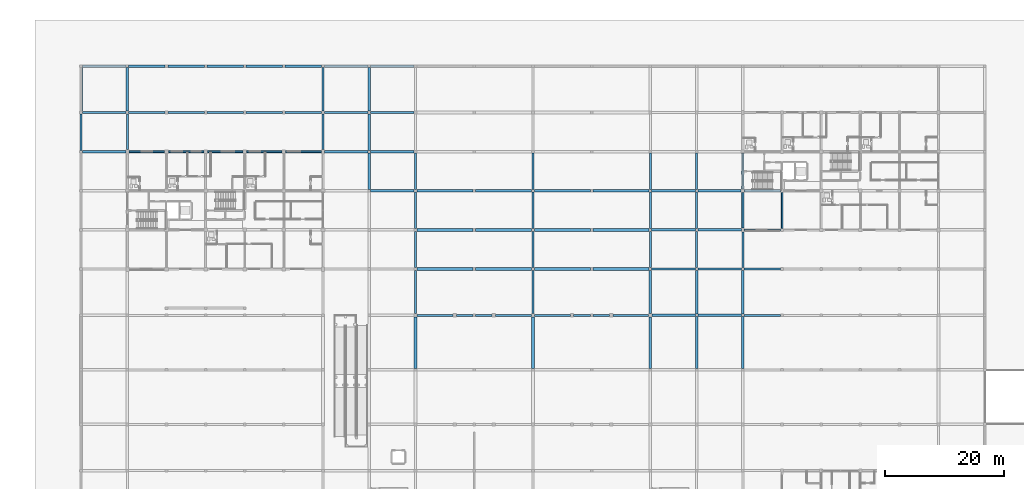
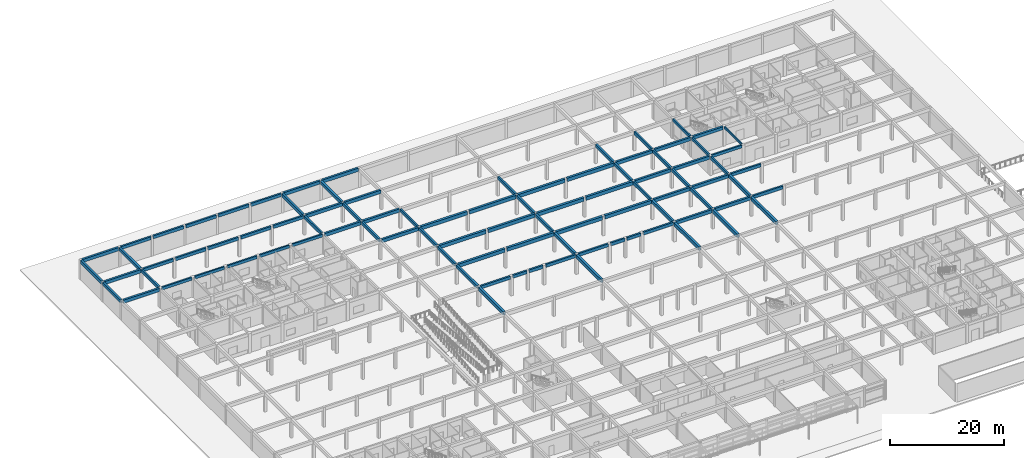
# One storey, part 33 of 75: 92 beams.
"""IFC4 building model written with IfcOpenShell, lengths in metres."""

from ifc_helpers import new_model, si_unit, direction, frame, origin, origin_2d, place, context, subcontext, project, spatial, rectangle, extrude, material, material_profile, profile_set, type_object, element, save


model = new_model("IFC4")

# Units and contexts
model_context = context("Model", 3, precision=1e-05, world=origin(), true_north=direction((0.0, 1.0)))
body_context = subcontext(model_context, "Body", "Model", "MODEL_VIEW")
ifc_project = project(units=[si_unit("LENGTHUNIT", "METRE"), si_unit("AREAUNIT", "SQUARE_METRE"), si_unit("VOLUMEUNIT", "CUBIC_METRE"), si_unit("PLANEANGLEUNIT", "RADIAN"), si_unit("MASSUNIT", "GRAM", prefix="KILO")], contexts=[model_context])

# Site, building, storey
site_placement = place(None, origin())
site = spatial("IfcSite", under=ifc_project, at=site_placement, CompositionType="ELEMENT")
building_placement = place(site_placement, origin())
building = spatial("IfcBuilding", under=site, at=building_placement, Name="Kernevlak Ridge Housing Community", CompositionType="ELEMENT")
storey_placement = place(building_placement, origin())
storey = spatial("IfcBuildingStorey", under=building, at=storey_placement, Name="L00", CompositionType="ELEMENT", Elevation=0.0)

# Beams
ifc_material = material(Name="Concrete C35/45", Category="concrete")
ifc_material_profile_1 = material_profile(ifc_material, rectangle(XDim=0.39990234375, YDim=0.699951171875, at=origin_2d()), Name="RC 400x700")
ifc_profile_set_1 = profile_set([ifc_material_profile_1], Name="Concrete C35/45")
beam_type_1 = type_object("IfcBeamType", Name="B-01", PredefinedType="BEAM", material=ifc_profile_set_1)
beam_1_placement = place(storey_placement, frame((104.074951171875, 68.199951171875, 3.85009765625), z_axis=(1.0, 0.0, 0.0), x_axis=(0.0, 1.0, 0.0)))
element("IfcBeam", 1, at=beam_1_placement, inside=storey, type_object=beam_type_1, Name="Beam B-01 L00 2179", PredefinedType="BEAM", context=body_context, shape_type="SweptSolid", body=[
    extrude(rectangle(XDim=0.39990234375, YDim=0.699951171875, at=origin_2d()), origin(), (0.0, 0.0, 1.0), 7.300048828125),
])
for number, where, z_axis, x_axis, name in (
    (2, (111.824951171875, 68.199951171875, 3.85009765625), (1.0, 0.0, 0.0), (0.0, 1.0, 0.0), "Beam B-01 L00 2180"),
    (3, (104.02490234375, 76.0, 3.85009765625), (1.0, 0.0, 0.0), (0.0, 1.0, 0.0), "Beam B-01 L00 2196"),
    (4, (111.824951171875, 76.0, 3.85009765625), (1.0, 0.0, 0.0), (0.0, 1.0, 0.0), "Beam B-01 L00 2197"),
    (5, (104.02490234375, 82.60009765625, 3.85009765625), (1.0, 0.0, 0.0), (0.0, 1.0, 0.0), "Beam B-01 L00 2211"),
    (6, (111.824951171875, 82.60009765625, 3.85009765625), (1.0, 0.0, 0.0), (0.0, 1.0, 0.0), "Beam B-01 L00 2212"),
    (7, (56.625, 89.199951171875, 3.85009765625), (1.0, 0.0, 0.0), (0.0, 1.0, 0.0), "Beam B-01 L00 2216"),
    (8, (104.02490234375, 89.199951171875, 3.85009765625), (1.0, 0.0, 0.0), (0.0, 1.0, 0.0), "Beam B-01 L00 2221"),
):
    element("IfcBeam", number, at=place(storey_placement, frame(where, z_axis=z_axis, x_axis=x_axis)), inside=storey, type_object=beam_type_1, Name=name, PredefinedType="BEAM", context=body_context, shape_type="SweptSolid", body=[
        extrude(rectangle(XDim=0.39990234375, YDim=0.699951171875, at=origin_2d()), origin(), (0.0, 0.0, 1.0), 7.35009765625),
    ])
beam_2_placement = place(storey_placement, frame((111.824951171875, 89.199951171875, 3.85009765625), z_axis=(1.0, 0.0, 0.0), x_axis=(0.0, 1.0, 0.0)))
element("IfcBeam", 9, at=beam_2_placement, inside=storey, type_object=beam_type_1, Name="Beam B-01 L00 2222", PredefinedType="BEAM", context=body_context, shape_type="SweptSolid", body=[
    extrude(rectangle(XDim=0.39990234375, YDim=0.699951171875, at=origin_2d()), origin(), (0.0, 0.0, 1.0), 7.300048828125),
])
beam_3_placement = place(storey_placement, frame((8.02490234375, 95.800048828125, 3.85009765625), z_axis=(1.0, 0.0, 0.0), x_axis=(0.0, 1.0, 0.0)))
element("IfcBeam", 10, at=beam_3_placement, inside=storey, type_object=beam_type_1, Name="Beam B-01 L00 2224", PredefinedType="BEAM", context=body_context, shape_type="SweptSolid", body=[
    extrude(rectangle(XDim=0.39990234375, YDim=0.699951171875, at=origin_2d()), origin(), (0.0, 0.0, 1.0), 7.3251953125),
])
beam_4_placement = place(storey_placement, frame((48.85009765625, 95.800048828125, 3.85009765625), z_axis=(1.0, 0.0, 0.0), x_axis=(0.0, 1.0, 0.0)))
element("IfcBeam", 11, at=beam_4_placement, inside=storey, type_object=beam_type_1, Name="Beam B-01 L00 2225", PredefinedType="BEAM", context=body_context, shape_type="SweptSolid", body=[
    extrude(rectangle(XDim=0.39990234375, YDim=0.699951171875, at=origin_2d()), origin(), (0.0, 0.0, 1.0), 7.324951171875),
])
for number, where, z_axis, x_axis, name in (
    (12, (56.625, 95.800048828125, 3.85009765625), (1.0, 0.0, 0.0), (0.0, 1.0, 0.0), "Beam B-01 L00 2226"),
    (13, (8.02490234375, 102.39990234375, 3.85009765625), (1.0, 0.0, 0.0), (0.0, 1.0, 0.0), "Beam B-01 L00 2234"),
    (14, (48.824951171875, 102.39990234375, 3.85009765625), (1.0, 0.0, 0.0), (0.0, 1.0, 0.0), "Beam B-01 L00 2240"),
    (15, (56.625, 102.39990234375, 3.85009765625), (1.0, 0.0, 0.0), (0.0, 1.0, 0.0), "Beam B-01 L00 2241"),
    (16, (8.02490234375, 110.199951171875, 3.85009765625), (1.0, 0.0, 0.0), (0.0, 1.0, 0.0), "Beam B-01 L00 2249"),
    (17, (48.824951171875, 110.199951171875, 3.85009765625), (1.0, 0.0, 0.0), (0.0, 1.0, 0.0), "Beam B-01 L00 2255"),
    (18, (56.625, 110.199951171875, 3.85009765625), (1.0, 0.0, 0.0), (0.0, 1.0, 0.0), "Beam B-01 L00 2256"),
    (19, (7.800048828125, 102.625, 3.85009765625), (0.0, 1.0, 0.0), (-1.0, 0.0, 0.0), "Beam B-01 L00 2281"),
    (20, (15.60009765625, 102.625, 3.85009765625), (0.0, 1.0, 0.0), (-1.0, 0.0, 0.0), "Beam B-01 L00 2288"),
    (21, (48.60009765625, 102.625, 3.85009765625), (0.0, 1.0, 0.0), (-1.0, 0.0, 0.0), "Beam B-01 L00 2298"),
    (22, (56.39990234375, 102.625, 3.85009765625), (0.0, 1.0, 0.0), (-1.0, 0.0, 0.0), "Beam B-01 L00 2312"),
):
    element("IfcBeam", number, at=place(storey_placement, frame(where, z_axis=z_axis, x_axis=x_axis)), inside=storey, type_object=beam_type_1, Name=name, PredefinedType="BEAM", context=body_context, shape_type="SweptSolid", body=[
        extrude(rectangle(XDim=0.39990234375, YDim=0.699951171875, at=origin_2d()), origin(), (0.0, 0.0, 1.0), 7.35009765625),
    ])
for number, where, z_axis, x_axis, name in (
    (23, (64.199951171875, 68.47509765625, 3.85009765625), (0.0, 1.0, 0.0), (-1.0, 0.0, 0.0), "Beam B-01 L00 2321"),
    (24, (84.0, 68.47509765625, 3.85009765625), (0.0, 1.0, 0.0), (-1.0, 0.0, 0.0), "Beam B-01 L00 2335"),
    (25, (103.800048828125, 68.47509765625, 3.85009765625), (0.0, 1.0, 0.0), (-1.0, 0.0, 0.0), "Beam B-01 L00 2349"),
):
    element("IfcBeam", number, at=place(storey_placement, frame(where, z_axis=z_axis, x_axis=x_axis)), inside=storey, type_object=beam_type_1, Name=name, PredefinedType="BEAM", context=body_context, shape_type="SweptSolid", body=[
        extrude(rectangle(XDim=0.39990234375, YDim=0.699951171875, at=origin_2d()), origin(), (0.0, 0.0, 1.0), 7.2998046875),
    ])
for number, where, z_axis, x_axis, name in (
    (26, (111.60009765625, 68.425048828125, 3.85009765625), (0.0, 1.0, 0.0), (-1.0, 0.0, 0.0), "Beam B-01 L00 2363"),
    (27, (119.39990234375, 68.425048828125, 3.85009765625), (0.0, 1.0, 0.0), (-1.0, 0.0, 0.0), "Beam B-01 L00 2376"),
):
    element("IfcBeam", number, at=place(storey_placement, frame(where, z_axis=z_axis, x_axis=x_axis)), inside=storey, type_object=beam_type_1, Name=name, PredefinedType="BEAM", context=body_context, shape_type="SweptSolid", body=[
        extrude(rectangle(XDim=0.39990234375, YDim=0.699951171875, at=origin_2d()), origin(), (0.0, 0.0, 1.0), 7.349853515625),
    ])
ifc_material_profile_2 = material_profile(ifc_material, rectangle(XDim=0.35009765625, YDim=0.64990234375, at=origin_2d()), Name="RC 350x650")
ifc_profile_set_2 = profile_set([ifc_material_profile_2], Name="Concrete C35/45")
beam_type_2 = type_object("IfcBeamType", Name="B-02", PredefinedType="BEAM", material=ifc_profile_set_2)
beam_5_placement = place(storey_placement, frame((64.47509765625, 68.199951171875, 3.875), z_axis=(1.0, 0.0, 0.0), x_axis=(0.0, 1.0, 0.0)))
element("IfcBeam", 28, at=beam_5_placement, inside=storey, type_object=beam_type_2, Name="Beam B-02 L00 2171", PredefinedType="BEAM", context=body_context, shape_type="SweptSolid", body=[
    extrude(rectangle(XDim=0.35009765625, YDim=0.64990234375, at=origin_2d()), origin(), (0.0, 0.0, 1.0), 6.0498046875),
])
for number, where, z_axis, x_axis, name in (
    (29, (71.074951171875, 68.199951171875, 3.875), (1.0, 0.0, 0.0), (0.0, 1.0, 0.0), "Beam B-02 L00 2172"),
    (30, (74.324951171875, 68.199951171875, 3.875), (1.0, 0.0, 0.0), (0.0, 1.0, 0.0), "Beam B-02 L00 2173"),
):
    element("IfcBeam", number, at=place(storey_placement, frame(where, z_axis=z_axis, x_axis=x_axis)), inside=storey, type_object=beam_type_2, Name=name, PredefinedType="BEAM", context=body_context, shape_type="SweptSolid", body=[
        extrude(rectangle(XDim=0.35009765625, YDim=0.64990234375, at=origin_2d()), origin(), (0.0, 0.0, 1.0), 2.800048828125),
    ])
for number, where, z_axis, x_axis, name in (
    (31, (77.675048828125, 68.199951171875, 3.875), (1.0, 0.0, 0.0), (0.0, 1.0, 0.0), "Beam B-02 L00 2174"),
    (32, (84.27490234375, 68.199951171875, 3.875), (1.0, 0.0, 0.0), (0.0, 1.0, 0.0), "Beam B-02 L00 2175"),
):
    element("IfcBeam", number, at=place(storey_placement, frame(where, z_axis=z_axis, x_axis=x_axis)), inside=storey, type_object=beam_type_2, Name=name, PredefinedType="BEAM", context=body_context, shape_type="SweptSolid", body=[
        extrude(rectangle(XDim=0.35009765625, YDim=0.64990234375, at=origin_2d()), origin(), (0.0, 0.0, 1.0), 6.050048828125),
    ])
for number, where, z_axis, x_axis, name in (
    (33, (90.875, 68.199951171875, 3.875), (1.0, 0.0, 0.0), (0.0, 1.0, 0.0), "Beam B-02 L00 2176"),
    (34, (94.125, 68.199951171875, 3.875), (1.0, 0.0, 0.0), (0.0, 1.0, 0.0), "Beam B-02 L00 2177"),
):
    element("IfcBeam", number, at=place(storey_placement, frame(where, z_axis=z_axis, x_axis=x_axis)), inside=storey, type_object=beam_type_2, Name=name, PredefinedType="BEAM", context=body_context, shape_type="SweptSolid", body=[
        extrude(rectangle(XDim=0.35009765625, YDim=0.64990234375, at=origin_2d()), origin(), (0.0, 0.0, 1.0), 2.800048828125),
    ])
beam_6_placement = place(storey_placement, frame((97.47509765625, 68.199951171875, 3.875), z_axis=(1.0, 0.0, 0.0), x_axis=(0.0, 1.0, 0.0)))
element("IfcBeam", 35, at=beam_6_placement, inside=storey, type_object=beam_type_2, Name="Beam B-02 L00 2178", PredefinedType="BEAM", context=body_context, shape_type="SweptSolid", body=[
    extrude(rectangle(XDim=0.35009765625, YDim=0.64990234375, at=origin_2d()), origin(), (0.0, 0.0, 1.0), 6.0498046875),
])
for number, where, z_axis, x_axis, name in (
    (36, (119.625, 68.199951171875, 3.875), (1.0, 0.0, 0.0), (0.0, 1.0, 0.0), "Beam B-02 L00 2181"),
    (37, (119.625, 76.0, 3.875), (1.0, 0.0, 0.0), (0.0, 1.0, 0.0), "Beam B-02 L00 2198"),
):
    element("IfcBeam", number, at=place(storey_placement, frame(where, z_axis=z_axis, x_axis=x_axis)), inside=storey, type_object=beam_type_2, Name=name, PredefinedType="BEAM", context=body_context, shape_type="SweptSolid", body=[
        extrude(rectangle(XDim=0.35009765625, YDim=0.64990234375, at=origin_2d()), origin(), (0.0, 0.0, 1.0), 6.14990234375),
    ])
beam_7_placement = place(storey_placement, frame((15.824951171875, 102.39990234375, 3.875), z_axis=(1.0, 0.0, 0.0), x_axis=(0.0, 1.0, 0.0)))
element("IfcBeam", 38, at=beam_7_placement, inside=storey, type_object=beam_type_2, Name="Beam B-02 L00 2235", PredefinedType="BEAM", context=body_context, shape_type="SweptSolid", body=[
    extrude(rectangle(XDim=0.35009765625, YDim=0.64990234375, at=origin_2d()), origin(), (0.0, 0.0, 1.0), 6.150146484375),
])
beam_8_placement = place(storey_placement, frame((22.425048828125, 102.39990234375, 3.875), z_axis=(1.0, 0.0, 0.0), x_axis=(0.0, 1.0, 0.0)))
element("IfcBeam", 39, at=beam_8_placement, inside=storey, type_object=beam_type_2, Name="Beam B-02 L00 2236", PredefinedType="BEAM", context=body_context, shape_type="SweptSolid", body=[
    extrude(rectangle(XDim=0.35009765625, YDim=0.64990234375, at=origin_2d()), origin(), (0.0, 0.0, 1.0), 6.14990234375),
])
beam_9_placement = place(storey_placement, frame((29.02490234375, 102.39990234375, 3.875), z_axis=(1.0, 0.0, 0.0), x_axis=(0.0, 1.0, 0.0)))
element("IfcBeam", 40, at=beam_9_placement, inside=storey, type_object=beam_type_2, Name="Beam B-02 L00 2237", PredefinedType="BEAM", context=body_context, shape_type="SweptSolid", body=[
    extrude(rectangle(XDim=0.35009765625, YDim=0.64990234375, at=origin_2d()), origin(), (0.0, 0.0, 1.0), 6.150146484375),
])
for number, where, z_axis, x_axis, name in (
    (41, (35.625, 102.39990234375, 3.875), (1.0, 0.0, 0.0), (0.0, 1.0, 0.0), "Beam B-02 L00 2238"),
    (42, (42.22509765625, 102.39990234375, 3.875), (1.0, 0.0, 0.0), (0.0, 1.0, 0.0), "Beam B-02 L00 2239"),
):
    element("IfcBeam", number, at=place(storey_placement, frame(where, z_axis=z_axis, x_axis=x_axis)), inside=storey, type_object=beam_type_2, Name=name, PredefinedType="BEAM", context=body_context, shape_type="SweptSolid", body=[
        extrude(rectangle(XDim=0.35009765625, YDim=0.64990234375, at=origin_2d()), origin(), (0.0, 0.0, 1.0), 6.14990234375),
    ])
beam_10_placement = place(storey_placement, frame((15.824951171875, 110.199951171875, 3.875), z_axis=(1.0, 0.0, 0.0), x_axis=(0.0, 1.0, 0.0)))
element("IfcBeam", 43, at=beam_10_placement, inside=storey, type_object=beam_type_2, Name="Beam B-02 L00 2250", PredefinedType="BEAM", context=body_context, shape_type="SweptSolid", body=[
    extrude(rectangle(XDim=0.35009765625, YDim=0.64990234375, at=origin_2d()), origin(), (0.0, 0.0, 1.0), 6.150146484375),
])
beam_11_placement = place(storey_placement, frame((22.425048828125, 110.199951171875, 3.875), z_axis=(1.0, 0.0, 0.0), x_axis=(0.0, 1.0, 0.0)))
element("IfcBeam", 44, at=beam_11_placement, inside=storey, type_object=beam_type_2, Name="Beam B-02 L00 2251", PredefinedType="BEAM", context=body_context, shape_type="SweptSolid", body=[
    extrude(rectangle(XDim=0.35009765625, YDim=0.64990234375, at=origin_2d()), origin(), (0.0, 0.0, 1.0), 6.14990234375),
])
beam_12_placement = place(storey_placement, frame((29.02490234375, 110.199951171875, 3.875), z_axis=(1.0, 0.0, 0.0), x_axis=(0.0, 1.0, 0.0)))
element("IfcBeam", 45, at=beam_12_placement, inside=storey, type_object=beam_type_2, Name="Beam B-02 L00 2252", PredefinedType="BEAM", context=body_context, shape_type="SweptSolid", body=[
    extrude(rectangle(XDim=0.35009765625, YDim=0.64990234375, at=origin_2d()), origin(), (0.0, 0.0, 1.0), 6.150146484375),
])
for number, where, z_axis, x_axis, name in (
    (46, (35.625, 110.199951171875, 3.875), (1.0, 0.0, 0.0), (0.0, 1.0, 0.0), "Beam B-02 L00 2253"),
    (47, (42.22509765625, 110.199951171875, 3.875), (1.0, 0.0, 0.0), (0.0, 1.0, 0.0), "Beam B-02 L00 2254"),
):
    element("IfcBeam", number, at=place(storey_placement, frame(where, z_axis=z_axis, x_axis=x_axis)), inside=storey, type_object=beam_type_2, Name=name, PredefinedType="BEAM", context=body_context, shape_type="SweptSolid", body=[
        extrude(rectangle(XDim=0.35009765625, YDim=0.64990234375, at=origin_2d()), origin(), (0.0, 0.0, 1.0), 6.14990234375),
    ])
beam_13_placement = place(storey_placement, frame((7.800048828125, 96.02490234375, 3.875), z_axis=(0.0, 1.0, 0.0), x_axis=(-1.0, 0.0, 0.0)))
element("IfcBeam", 48, at=beam_13_placement, inside=storey, type_object=beam_type_2, Name="Beam B-02 L00 2280", PredefinedType="BEAM", context=body_context, shape_type="SweptSolid", body=[
    extrude(rectangle(XDim=0.35009765625, YDim=0.64990234375, at=origin_2d()), origin(), (0.0, 0.0, 1.0), 6.150146484375),
])
for number, where, z_axis, x_axis, name in (
    (49, (15.60009765625, 96.175048828125, 3.875), (0.0, 1.0, 0.0), (-1.0, 0.0, 0.0), "Beam B-02 L00 2287"),
    (50, (48.60009765625, 96.175048828125, 3.875), (0.0, 1.0, 0.0), (-1.0, 0.0, 0.0), "Beam B-02 L00 2297"),
):
    element("IfcBeam", number, at=place(storey_placement, frame(where, z_axis=z_axis, x_axis=x_axis)), inside=storey, type_object=beam_type_2, Name=name, PredefinedType="BEAM", context=body_context, shape_type="SweptSolid", body=[
        extrude(rectangle(XDim=0.35009765625, YDim=0.64990234375, at=origin_2d()), origin(), (0.0, 0.0, 1.0), 6.0),
    ])
beam_14_placement = place(storey_placement, frame((56.39990234375, 89.425048828125, 3.875), z_axis=(0.0, 1.0, 0.0), x_axis=(-1.0, 0.0, 0.0)))
element("IfcBeam", 51, at=beam_14_placement, inside=storey, type_object=beam_type_2, Name="Beam B-02 L00 2310", PredefinedType="BEAM", context=body_context, shape_type="SweptSolid", body=[
    extrude(rectangle(XDim=0.35009765625, YDim=0.64990234375, at=origin_2d()), origin(), (0.0, 0.0, 1.0), 6.14990234375),
])
beam_15_placement = place(storey_placement, frame((56.39990234375, 96.02490234375, 3.875), z_axis=(0.0, 1.0, 0.0), x_axis=(-1.0, 0.0, 0.0)))
element("IfcBeam", 52, at=beam_15_placement, inside=storey, type_object=beam_type_2, Name="Beam B-02 L00 2311", PredefinedType="BEAM", context=body_context, shape_type="SweptSolid", body=[
    extrude(rectangle(XDim=0.35009765625, YDim=0.64990234375, at=origin_2d()), origin(), (0.0, 0.0, 1.0), 6.150146484375),
])
beam_16_placement = place(storey_placement, frame((64.199951171875, 76.22509765625, 3.875), z_axis=(0.0, 1.0, 0.0), x_axis=(-1.0, 0.0, 0.0)))
element("IfcBeam", 53, at=beam_16_placement, inside=storey, type_object=beam_type_2, Name="Beam B-02 L00 2322", PredefinedType="BEAM", context=body_context, shape_type="SweptSolid", body=[
    extrude(rectangle(XDim=0.35009765625, YDim=0.64990234375, at=origin_2d()), origin(), (0.0, 0.0, 1.0), 6.14990234375),
])
beam_17_placement = place(storey_placement, frame((64.199951171875, 82.824951171875, 3.875), z_axis=(0.0, 1.0, 0.0), x_axis=(-1.0, 0.0, 0.0)))
element("IfcBeam", 54, at=beam_17_placement, inside=storey, type_object=beam_type_2, Name="Beam B-02 L00 2323", PredefinedType="BEAM", context=body_context, shape_type="SweptSolid", body=[
    extrude(rectangle(XDim=0.35009765625, YDim=0.64990234375, at=origin_2d()), origin(), (0.0, 0.0, 1.0), 6.150146484375),
])
for number, where, z_axis, x_axis, name in (
    (55, (64.199951171875, 89.425048828125, 3.875), (0.0, 1.0, 0.0), (-1.0, 0.0, 0.0), "Beam B-02 L00 2324"),
    (56, (84.0, 76.22509765625, 3.875), (0.0, 1.0, 0.0), (-1.0, 0.0, 0.0), "Beam B-02 L00 2336"),
):
    element("IfcBeam", number, at=place(storey_placement, frame(where, z_axis=z_axis, x_axis=x_axis)), inside=storey, type_object=beam_type_2, Name=name, PredefinedType="BEAM", context=body_context, shape_type="SweptSolid", body=[
        extrude(rectangle(XDim=0.35009765625, YDim=0.64990234375, at=origin_2d()), origin(), (0.0, 0.0, 1.0), 6.14990234375),
    ])
beam_18_placement = place(storey_placement, frame((84.0, 82.824951171875, 3.875), z_axis=(0.0, 1.0, 0.0), x_axis=(-1.0, 0.0, 0.0)))
element("IfcBeam", 57, at=beam_18_placement, inside=storey, type_object=beam_type_2, Name="Beam B-02 L00 2337", PredefinedType="BEAM", context=body_context, shape_type="SweptSolid", body=[
    extrude(rectangle(XDim=0.35009765625, YDim=0.64990234375, at=origin_2d()), origin(), (0.0, 0.0, 1.0), 6.150146484375),
])
for number, where, z_axis, x_axis, name in (
    (58, (84.0, 89.425048828125, 3.875), (0.0, 1.0, 0.0), (-1.0, 0.0, 0.0), "Beam B-02 L00 2338"),
    (59, (103.800048828125, 76.22509765625, 3.875), (0.0, 1.0, 0.0), (-1.0, 0.0, 0.0), "Beam B-02 L00 2350"),
):
    element("IfcBeam", number, at=place(storey_placement, frame(where, z_axis=z_axis, x_axis=x_axis)), inside=storey, type_object=beam_type_2, Name=name, PredefinedType="BEAM", context=body_context, shape_type="SweptSolid", body=[
        extrude(rectangle(XDim=0.35009765625, YDim=0.64990234375, at=origin_2d()), origin(), (0.0, 0.0, 1.0), 6.14990234375),
    ])
beam_19_placement = place(storey_placement, frame((103.800048828125, 82.824951171875, 3.875), z_axis=(0.0, 1.0, 0.0), x_axis=(-1.0, 0.0, 0.0)))
element("IfcBeam", 60, at=beam_19_placement, inside=storey, type_object=beam_type_2, Name="Beam B-02 L00 2351", PredefinedType="BEAM", context=body_context, shape_type="SweptSolid", body=[
    extrude(rectangle(XDim=0.35009765625, YDim=0.64990234375, at=origin_2d()), origin(), (0.0, 0.0, 1.0), 6.150146484375),
])
for number, where, z_axis, x_axis, name in (
    (61, (103.800048828125, 89.425048828125, 3.875), (0.0, 1.0, 0.0), (-1.0, 0.0, 0.0), "Beam B-02 L00 2352"),
    (62, (111.60009765625, 76.22509765625, 3.875), (0.0, 1.0, 0.0), (-1.0, 0.0, 0.0), "Beam B-02 L00 2364"),
):
    element("IfcBeam", number, at=place(storey_placement, frame(where, z_axis=z_axis, x_axis=x_axis)), inside=storey, type_object=beam_type_2, Name=name, PredefinedType="BEAM", context=body_context, shape_type="SweptSolid", body=[
        extrude(rectangle(XDim=0.35009765625, YDim=0.64990234375, at=origin_2d()), origin(), (0.0, 0.0, 1.0), 6.14990234375),
    ])
beam_20_placement = place(storey_placement, frame((111.60009765625, 82.824951171875, 3.875), z_axis=(0.0, 1.0, 0.0), x_axis=(-1.0, 0.0, 0.0)))
element("IfcBeam", 63, at=beam_20_placement, inside=storey, type_object=beam_type_2, Name="Beam B-02 L00 2365", PredefinedType="BEAM", context=body_context, shape_type="SweptSolid", body=[
    extrude(rectangle(XDim=0.35009765625, YDim=0.64990234375, at=origin_2d()), origin(), (0.0, 0.0, 1.0), 6.150146484375),
])
beam_21_placement = place(storey_placement, frame((111.60009765625, 89.425048828125, 3.875), z_axis=(0.0, 1.0, 0.0), x_axis=(-1.0, 0.0, 0.0)))
element("IfcBeam", 64, at=beam_21_placement, inside=storey, type_object=beam_type_2, Name="Beam B-02 L00 2366", PredefinedType="BEAM", context=body_context, shape_type="SweptSolid", body=[
    extrude(rectangle(XDim=0.35009765625, YDim=0.64990234375, at=origin_2d()), origin(), (0.0, 0.0, 1.0), 6.14990234375),
])
beam_22_placement = place(storey_placement, frame((119.39990234375, 76.22509765625, 3.875), z_axis=(0.0, 1.0, 0.0), x_axis=(-1.0, 0.0, 0.0)))
element("IfcBeam", 65, at=beam_22_placement, inside=storey, type_object=beam_type_2, Name="Beam B-02 L00 2377", PredefinedType="BEAM", context=body_context, shape_type="SweptSolid", body=[
    extrude(rectangle(XDim=0.35009765625, YDim=0.64990234375, at=origin_2d()), origin(), (0.0, 0.0, 1.0), 6.0498046875),
])
ifc_material_profile_3 = material_profile(ifc_material, rectangle(XDim=0.39990234375, YDim=0.64990234375, at=origin_2d()), Name="RC 400x650")
ifc_profile_set_3 = profile_set([ifc_material_profile_3], Name="Concrete C35/45")
beam_type_3 = type_object("IfcBeamType", Name="B-03", PredefinedType="T_BEAM", material=ifc_profile_set_3)
beam_23_placement = place(storey_placement, frame((119.675048828125, 89.199951171875, 3.875), z_axis=(1.0, 0.0, 0.0), x_axis=(0.0, 1.0, 0.0)))
element("IfcBeam", 66, at=beam_23_placement, inside=storey, type_object=beam_type_3, Name="Beam B-03 L00 562", PredefinedType="T_BEAM", context=body_context, shape_type="SweptSolid", body=[
    extrude(rectangle(XDim=0.39990234375, YDim=0.64990234375, at=origin_2d()), origin(), (0.0, 0.0, 1.0), 6.050048828125),
])
ifc_material_profile_4 = material_profile(ifc_material, rectangle(XDim=0.25, YDim=0.449951171875, at=origin_2d()), Name="RC 250x450")
ifc_profile_set_4 = profile_set([ifc_material_profile_4], Name="Concrete C35/45")
beam_type_4 = type_object("IfcBeamType", Name="B-04", PredefinedType="T_BEAM", material=ifc_profile_set_4)
beam_24_placement = place(storey_placement, frame((126.0, 82.875, 3.97509765625), z_axis=(0.0, 1.0, 0.0), x_axis=(-1.0, 0.0, 0.0)))
element("IfcBeam", 67, at=beam_24_placement, inside=storey, type_object=beam_type_4, Name="Beam B-04 L00 580", PredefinedType="T_BEAM", context=body_context, shape_type="SweptSolid", body=[
    extrude(rectangle(XDim=0.25, YDim=0.449951171875, at=origin_2d()), origin(), (0.0, 0.0, 1.0), 6.050048828125),
])
ifc_material_profile_5 = material_profile(ifc_material, rectangle(XDim=0.449951171875, YDim=0.75, at=origin_2d()), Name="RC 450x750")
ifc_profile_set_5 = profile_set([ifc_material_profile_5], Name="Concrete C35/45")
beam_type_5 = type_object("IfcBeamType", Name="B-05", PredefinedType="BEAM", material=ifc_profile_set_5)
for number, where, z_axis, x_axis, name in (
    (68, (64.425048828125, 76.0, 3.824951171875), (1.0, 0.0, 0.0), (0.0, 1.0, 0.0), "Beam B-05 L00 2192"),
    (69, (74.324951171875, 76.0, 3.824951171875), (1.0, 0.0, 0.0), (0.0, 1.0, 0.0), "Beam B-05 L00 2193"),
    (70, (84.22509765625, 76.0, 3.824951171875), (1.0, 0.0, 0.0), (0.0, 1.0, 0.0), "Beam B-05 L00 2194"),
    (71, (94.125, 76.0, 3.824951171875), (1.0, 0.0, 0.0), (0.0, 1.0, 0.0), "Beam B-05 L00 2195"),
    (72, (64.425048828125, 82.60009765625, 3.824951171875), (1.0, 0.0, 0.0), (0.0, 1.0, 0.0), "Beam B-05 L00 2207"),
    (73, (74.324951171875, 82.60009765625, 3.824951171875), (1.0, 0.0, 0.0), (0.0, 1.0, 0.0), "Beam B-05 L00 2208"),
    (74, (84.22509765625, 82.60009765625, 3.824951171875), (1.0, 0.0, 0.0), (0.0, 1.0, 0.0), "Beam B-05 L00 2209"),
    (75, (94.125, 82.60009765625, 3.824951171875), (1.0, 0.0, 0.0), (0.0, 1.0, 0.0), "Beam B-05 L00 2210"),
    (76, (64.425048828125, 89.199951171875, 3.824951171875), (1.0, 0.0, 0.0), (0.0, 1.0, 0.0), "Beam B-05 L00 2217"),
    (77, (74.324951171875, 89.199951171875, 3.824951171875), (1.0, 0.0, 0.0), (0.0, 1.0, 0.0), "Beam B-05 L00 2218"),
    (78, (84.22509765625, 89.199951171875, 3.824951171875), (1.0, 0.0, 0.0), (0.0, 1.0, 0.0), "Beam B-05 L00 2219"),
    (79, (94.125, 89.199951171875, 3.824951171875), (1.0, 0.0, 0.0), (0.0, 1.0, 0.0), "Beam B-05 L00 2220"),
):
    element("IfcBeam", number, at=place(storey_placement, frame(where, z_axis=z_axis, x_axis=x_axis)), inside=storey, type_object=beam_type_5, Name=name, PredefinedType="BEAM", context=body_context, shape_type="SweptSolid", body=[
        extrude(rectangle(XDim=0.449951171875, YDim=0.75, at=origin_2d()), origin(), (0.0, 0.0, 1.0), 9.449951171875),
    ])
for number, where, z_axis, x_axis, name in (
    (80, (64.199951171875, 59.22509765625, 3.824951171875), (0.0, 1.0, 0.0), (-1.0, 0.0, 0.0), "Beam B-05 L00 2320"),
    (81, (84.0, 59.22509765625, 3.824951171875), (0.0, 1.0, 0.0), (-1.0, 0.0, 0.0), "Beam B-05 L00 2334"),
    (82, (103.800048828125, 59.22509765625, 3.824951171875), (0.0, 1.0, 0.0), (-1.0, 0.0, 0.0), "Beam B-05 L00 2348"),
):
    element("IfcBeam", number, at=place(storey_placement, frame(where, z_axis=z_axis, x_axis=x_axis)), inside=storey, type_object=beam_type_5, Name=name, PredefinedType="BEAM", context=body_context, shape_type="SweptSolid", body=[
        extrude(rectangle(XDim=0.449951171875, YDim=0.75, at=origin_2d()), origin(), (0.0, 0.0, 1.0), 8.699951171875),
    ])
for number, where, z_axis, x_axis, name in (
    (83, (111.60009765625, 59.22509765625, 3.824951171875), (0.0, 1.0, 0.0), (-1.0, 0.0, 0.0), "Beam B-05 L00 2362"),
    (84, (119.39990234375, 59.22509765625, 3.824951171875), (0.0, 1.0, 0.0), (-1.0, 0.0, 0.0), "Beam B-05 L00 2375"),
):
    element("IfcBeam", number, at=place(storey_placement, frame(where, z_axis=z_axis, x_axis=x_axis)), inside=storey, type_object=beam_type_5, Name=name, PredefinedType="BEAM", context=body_context, shape_type="SweptSolid", body=[
        extrude(rectangle(XDim=0.449951171875, YDim=0.75, at=origin_2d()), origin(), (0.0, 0.0, 1.0), 8.75),
    ])
ifc_material_profile_6 = material_profile(ifc_material, rectangle(XDim=0.300048828125, YDim=0.550048828125, at=origin_2d()), Name="RC 300x550")
ifc_profile_set_6 = profile_set([ifc_material_profile_6], Name="Concrete C35/45")
beam_type_6 = type_object("IfcBeamType", Name="SP-01", PredefinedType="SPANDREL", material=ifc_profile_set_6)
beam_25_placement = place(storey_placement, frame((119.39990234375, 82.925048828125, 3.925048828125), z_axis=(0.0, 1.0, 0.0), x_axis=(-1.0, 0.0, 0.0)))
element("IfcBeam", 85, at=beam_25_placement, inside=storey, type_object=beam_type_6, Name="Beam SP-01 L00 577", PredefinedType="SPANDREL", context=body_context, shape_type="SweptSolid", body=[
    extrude(rectangle(XDim=0.300048828125, YDim=0.550048828125, at=origin_2d()), origin(), (0.0, 0.0, 1.0), 6.0),
])
beam_26_placement = place(storey_placement, frame((119.39990234375, 89.47509765625, 3.925048828125), z_axis=(0.0, 1.0, 0.0), x_axis=(-1.0, 0.0, 0.0)))
element("IfcBeam", 86, at=beam_26_placement, inside=storey, type_object=beam_type_6, Name="Beam SP-01 L00 578", PredefinedType="SPANDREL", context=body_context, shape_type="SweptSolid", body=[
    extrude(rectangle(XDim=0.300048828125, YDim=0.550048828125, at=origin_2d()), origin(), (0.0, 0.0, 1.0), 6.0498046875),
])
ifc_material_profile_7 = material_profile(ifc_material, rectangle(XDim=0.300048828125, YDim=0.60009765625, at=origin_2d()), Name="RC 300x600")
ifc_profile_set_7 = profile_set([ifc_material_profile_7], Name="Concrete C35/45")
beam_type_7 = type_object("IfcBeamType", Name="SP-02", PredefinedType="SPANDREL", material=ifc_profile_set_7)
beam_27_placement = place(storey_placement, frame((15.85009765625, 95.800048828125, 3.89990234375), z_axis=(1.0, 0.0, 0.0), x_axis=(0.0, 1.0, 0.0)))
element("IfcBeam", 87, at=beam_27_placement, inside=storey, type_object=beam_type_7, Name="Beam SP-02 L00 52", PredefinedType="SPANDREL", context=body_context, shape_type="SweptSolid", body=[
    extrude(rectangle(XDim=0.300048828125, YDim=0.60009765625, at=origin_2d()), origin(), (0.0, 0.0, 1.0), 6.0498046875),
])
for number, where, z_axis, x_axis, name in (
    (88, (22.5, 95.800048828125, 3.89990234375), (1.0, 0.0, 0.0), (0.0, 1.0, 0.0), "Beam SP-02 L00 53"),
    (89, (29.10009765625, 95.800048828125, 3.89990234375), (1.0, 0.0, 0.0), (0.0, 1.0, 0.0), "Beam SP-02 L00 54"),
    (90, (35.699951171875, 95.800048828125, 3.89990234375), (1.0, 0.0, 0.0), (0.0, 1.0, 0.0), "Beam SP-02 L00 55"),
):
    element("IfcBeam", number, at=place(storey_placement, frame(where, z_axis=z_axis, x_axis=x_axis)), inside=storey, type_object=beam_type_7, Name=name, PredefinedType="SPANDREL", context=body_context, shape_type="SweptSolid", body=[
        extrude(rectangle(XDim=0.300048828125, YDim=0.60009765625, at=origin_2d()), origin(), (0.0, 0.0, 1.0), 6.0),
    ])
beam_28_placement = place(storey_placement, frame((42.300048828125, 95.800048828125, 3.89990234375), z_axis=(1.0, 0.0, 0.0), x_axis=(0.0, 1.0, 0.0)))
element("IfcBeam", 91, at=beam_28_placement, inside=storey, type_object=beam_type_7, Name="Beam SP-02 L00 56", PredefinedType="SPANDREL", context=body_context, shape_type="SweptSolid", body=[
    extrude(rectangle(XDim=0.300048828125, YDim=0.60009765625, at=origin_2d()), origin(), (0.0, 0.0, 1.0), 6.050048828125),
])
beam_29_placement = place(storey_placement, frame((119.625, 82.60009765625, 3.89990234375), z_axis=(1.0, 0.0, 0.0), x_axis=(0.0, 1.0, 0.0)))
element("IfcBeam", 92, at=beam_29_placement, inside=storey, type_object=beam_type_7, Name="Beam SP-02 L00 557", PredefinedType="SPANDREL", context=body_context, shape_type="SweptSolid", body=[
    extrude(rectangle(XDim=0.300048828125, YDim=0.60009765625, at=origin_2d()), origin(), (0.0, 0.0, 1.0), 6.10009765625),
])

save(model, "model.ifc")
